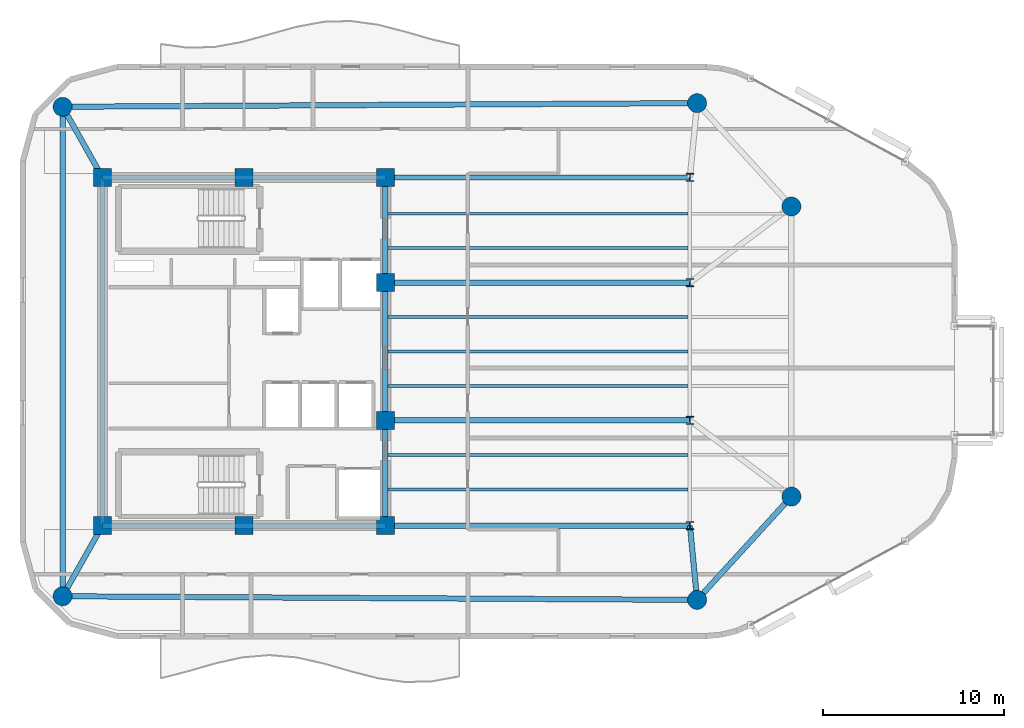
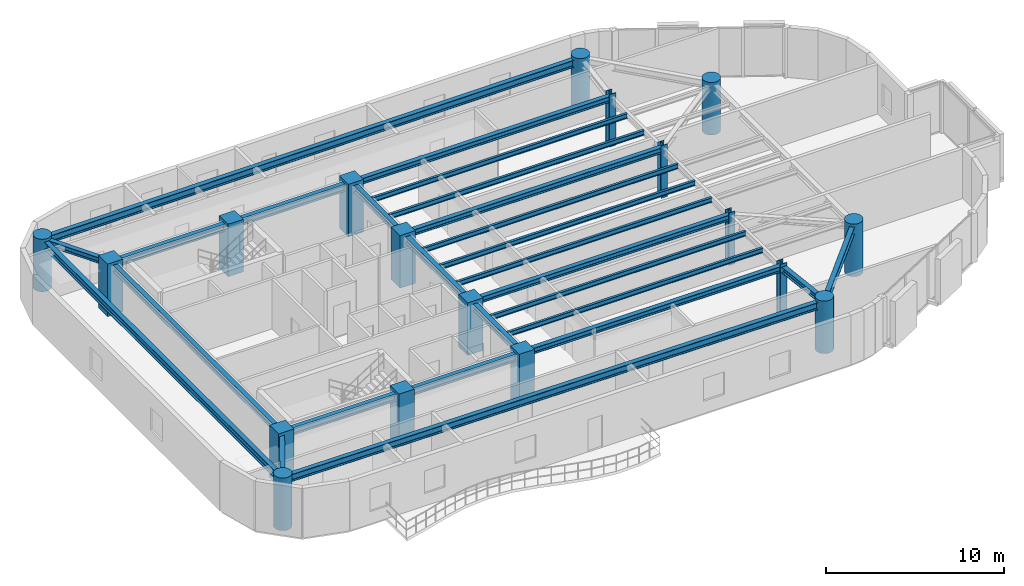
# One storey, part 1 of 14: 24 beams, 18 columns.
"""IFC4 building model written with IfcOpenShell, lengths in metres."""

from ifc_helpers import new_model, si_unit, direction, frame, origin, origin_2d, place, context, subcontext, project, spatial, rectangle, circle, i_section, extrude, material, material_profile, profile_set, type_object, element, save


model = new_model("IFC4")

# Units and contexts
model_context = context("Model", 3, precision=1e-05, world=origin(), true_north=direction((0.0, 1.0)))
body_context = subcontext(model_context, "Body", "Model", "MODEL_VIEW")
ifc_project = project(units=[si_unit("LENGTHUNIT", "METRE"), si_unit("AREAUNIT", "SQUARE_METRE"), si_unit("VOLUMEUNIT", "CUBIC_METRE"), si_unit("PLANEANGLEUNIT", "RADIAN"), si_unit("MASSUNIT", "GRAM", prefix="KILO")], contexts=[model_context])

# Site, building, storey
site_placement = place(None, origin())
site = spatial("IfcSite", under=ifc_project, at=site_placement, CompositionType="ELEMENT")
building_placement = place(site_placement, origin())
building = spatial("IfcBuilding", under=site, at=building_placement, Name="An Khanh Terracotta Commons", CompositionType="ELEMENT")
storey_placement = place(building_placement, frame((0.0, 0.0, 219.300048828125)))
storey = spatial("IfcBuildingStorey", under=building, at=storey_placement, Name="L57", CompositionType="ELEMENT", Elevation=219.300048828125)

# Columns
ifc_material_1 = material(Name="Concrete C60/75", Category="concrete")
ifc_material_profile_1 = material_profile(ifc_material_1, circle(Radius=0.52490234375, at=origin_2d()), Name="CFST1050")
ifc_profile_set_1 = profile_set([ifc_material_profile_1], Name="Concrete C60/75")
column_type_1 = type_object("IfcColumnType", Name="COL-CFST1050", PredefinedType="COLUMN", material=ifc_profile_set_1)
for number, where, z_axis, x_axis, name in (
    (1, (19.39990234375, 10.5, 0.0), (0.0, 0.0, 1.0), (1.0, 0.0, 0.0), "L57 Perimeter CFST Mega-Column MC-01"),
    (2, (54.39990234375, 10.300048828125, 0.0), (0.0, 0.0, 1.0), (1.0, 0.0, 0.0), "L57 Perimeter CFST Mega-Column MC-02"),
    (3, (59.60009765625, 16.0, 0.0), (0.0, 0.0, 1.0), (1.0, 0.0, 0.0), "L57 Perimeter CFST Mega-Column MC-03"),
    (4, (59.60009765625, 32.0, 0.0), (0.0, 0.0, 1.0), (1.0, 0.0, 0.0), "L57 Perimeter CFST Mega-Column MC-04"),
    (5, (54.39990234375, 37.699951171875, 0.0), (0.0, 0.0, 1.0), (1.0, 0.0, 0.0), "L57 Perimeter CFST Mega-Column MC-05"),
    (6, (19.39990234375, 37.5, 0.0), (0.0, 0.0, 1.0), (1.0, 0.0, 0.0), "L57 Perimeter CFST Mega-Column MC-06"),
):
    element("IfcColumn", number, at=place(storey_placement, frame(where, z_axis=z_axis, x_axis=x_axis)), inside=storey, type_object=column_type_1, Name=name, PredefinedType="COLUMN", context=body_context, shape_type="SweptSolid", body=[
        extrude(circle(Radius=0.52490234375, at=origin_2d()), origin(), (0.0, 0.0, 1.0), 3.599853515625),
    ])
ifc_material_2 = material(Name="Steel S460ML", Category="steel")
ifc_material_profile_2 = material_profile(ifc_material_2, i_section(OverallWidth=0.406005859375, OverallDepth=0.43994140625, WebThickness=0.02392578125, FlangeThickness=0.0390625, FilletRadius=0.014892578125, at=origin_2d()), Name="HD400x314")
ifc_profile_set_2 = profile_set([ifc_material_profile_2], Name="Steel S460ML")
column_type_2 = type_object("IfcColumnType", Name="COL-HD400x314", PredefinedType="COLUMN", material=ifc_profile_set_2)
for number, where, z_axis, x_axis, name in (
    (7, (54.0, 14.39990234375, 0.0), (0.0, 0.0, 1.0), (1.0, 0.0, 0.0), "L57 Interior Frame Column TC-01"),
    (8, (54.0, 20.199951171875, 0.0), (0.0, 0.0, 1.0), (1.0, 0.0, 0.0), "L57 Interior Frame Column TC-02"),
    (9, (54.0, 27.800048828125, 0.0), (0.0, 0.0, 1.0), (1.0, 0.0, 0.0), "L57 Interior Frame Column TC-03"),
    (10, (54.0, 33.60009765625, 0.0), (0.0, 0.0, 1.0), (1.0, 0.0, 0.0), "L57 Interior Frame Column TC-04"),
):
    element("IfcColumn", number, at=place(storey_placement, frame(where, z_axis=z_axis, x_axis=x_axis)), inside=storey, type_object=column_type_2, Name=name, PredefinedType="COLUMN", context=body_context, shape_type="SweptSolid", body=[
        extrude(i_section(OverallWidth=0.406005859375, OverallDepth=0.43994140625, WebThickness=0.02392578125, FlangeThickness=0.0390625, FilletRadius=0.014892578125, at=origin_2d()), origin(), (0.0, 0.0, 1.0), 3.599853515625),
    ])
ifc_material_profile_3 = material_profile(ifc_material_1, rectangle(XDim=1.0, YDim=1.0, at=origin_2d()), Name="RC1000x1000")
ifc_profile_set_3 = profile_set([ifc_material_profile_3], Name="Concrete C60/75")
column_type_3 = type_object("IfcColumnType", Name="COL-RC1000x1000", PredefinedType="COLUMN", material=ifc_profile_set_3)
for number, where, z_axis, x_axis, name in (
    (11, (21.60009765625, 14.39990234375, 0.0), (0.0, 0.0, 1.0), (1.0, 0.0, 0.0), "L57 Core Boundary Column CC-01"),
    (12, (29.39990234375, 14.39990234375, 0.0), (0.0, 0.0, 1.0), (1.0, 0.0, 0.0), "L57 Core Boundary Column CC-02"),
    (13, (37.199951171875, 14.39990234375, 0.0), (0.0, 0.0, 1.0), (1.0, 0.0, 0.0), "L57 Core Boundary Column CC-03"),
    (14, (37.199951171875, 20.199951171875, 0.0), (0.0, 0.0, 1.0), (1.0, 0.0, 0.0), "L57 Core Boundary Column CC-04"),
    (15, (37.199951171875, 27.800048828125, 0.0), (0.0, 0.0, 1.0), (1.0, 0.0, 0.0), "L57 Core Boundary Column CC-05"),
    (16, (37.199951171875, 33.60009765625, 0.0), (0.0, 0.0, 1.0), (1.0, 0.0, 0.0), "L57 Core Boundary Column CC-06"),
    (17, (29.39990234375, 33.60009765625, 0.0), (0.0, 0.0, 1.0), (1.0, 0.0, 0.0), "L57 Core Boundary Column CC-07"),
    (18, (21.60009765625, 33.60009765625, 0.0), (0.0, 0.0, 1.0), (1.0, 0.0, 0.0), "L57 Core Boundary Column CC-08"),
):
    element("IfcColumn", number, at=place(storey_placement, frame(where, z_axis=z_axis, x_axis=x_axis)), inside=storey, type_object=column_type_3, Name=name, PredefinedType="COLUMN", context=body_context, shape_type="SweptSolid", body=[
        extrude(rectangle(XDim=1.0, YDim=1.0, at=origin_2d()), origin(), (0.0, 0.0, 1.0), 3.599853515625),
    ])

# Beams
ifc_material_3 = material(Name="Steel S355J2", Category="steel")
ifc_material_profile_4 = material_profile(ifc_material_3, i_section(OverallWidth=0.300048828125, OverallDepth=0.39990234375, WebThickness=0.013427734375, FlangeThickness=0.02392578125, FilletRadius=0.027099609375, at=origin_2d()), Name="HEB400")
ifc_profile_set_4 = profile_set([ifc_material_profile_4], Name="Steel S355J2")
beam_type_1 = type_object("IfcBeamType", Name="BM-HEB400", PredefinedType="BEAM", material=ifc_profile_set_4)
for number, where, z_axis, x_axis, name in (
    (19, (37.199951171875, 14.39990234375, 3.199951171875), (1.0, 0.0, 0.0), (0.0, 1.0, 0.0), "L57 East Primary Floor Girder 1"),
    (20, (37.199951171875, 20.199951171875, 3.199951171875), (1.0, 0.0, 0.0), (0.0, 1.0, 0.0), "L57 East Primary Floor Girder 2"),
    (21, (37.199951171875, 27.800048828125, 3.199951171875), (1.0, 0.0, 0.0), (0.0, 1.0, 0.0), "L57 East Primary Floor Girder 3"),
    (22, (37.199951171875, 33.60009765625, 3.199951171875), (1.0, 0.0, 0.0), (0.0, 1.0, 0.0), "L57 East Primary Floor Girder 4"),
):
    element("IfcBeam", number, at=place(storey_placement, frame(where, z_axis=z_axis, x_axis=x_axis)), inside=storey, type_object=beam_type_1, Name=name, PredefinedType="BEAM", context=body_context, shape_type="SweptSolid", body=[
        extrude(i_section(OverallWidth=0.300048828125, OverallDepth=0.39990234375, WebThickness=0.013427734375, FlangeThickness=0.02392578125, FilletRadius=0.027099609375, at=origin_2d()), origin(), (0.0, 0.0, 1.0), 16.800048828125),
    ])
beam_1_placement = place(storey_placement, frame((19.39990234375, 10.5, 3.199951171875), z_axis=(0.491363608436, 0.870954536302, 0.0), x_axis=(-0.870954536302, 0.491363608436, 0.0)))
element("IfcBeam", 23, at=beam_1_placement, inside=storey, type_object=beam_type_1, Name="L57 Mega-Column Tie Girder 1", PredefinedType="BEAM", context=body_context, shape_type="SweptSolid", body=[
    extrude(i_section(OverallWidth=0.300048828125, OverallDepth=0.39990234375, WebThickness=0.013427734375, FlangeThickness=0.02392578125, FilletRadius=0.027099609375, at=origin_2d()), origin(), (0.0, 0.0, 1.0), 4.477783203125),
])
beam_2_placement = place(storey_placement, frame((54.39990234375, 10.300048828125, 3.199951171875), z_axis=(-0.097079917443, 0.995276589511, 0.0), x_axis=(-0.995276589511, -0.097079917443, 0.0)))
element("IfcBeam", 24, at=beam_2_placement, inside=storey, type_object=beam_type_1, Name="L57 Mega-Column Tie Girder 2", PredefinedType="BEAM", context=body_context, shape_type="SweptSolid", body=[
    extrude(i_section(OverallWidth=0.300048828125, OverallDepth=0.39990234375, WebThickness=0.013427734375, FlangeThickness=0.02392578125, FilletRadius=0.027099609375, at=origin_2d()), origin(), (0.0, 0.0, 1.0), 4.119384765625),
])
beam_3_placement = place(storey_placement, frame((19.39990234375, 37.5, 3.199951171875), z_axis=(0.491363608436, -0.870954536302, 0.0), x_axis=(0.870954536302, 0.491363608436, 0.0)))
element("IfcBeam", 25, at=beam_3_placement, inside=storey, type_object=beam_type_1, Name="L57 Mega-Column Tie Girder 6", PredefinedType="BEAM", context=body_context, shape_type="SweptSolid", body=[
    extrude(i_section(OverallWidth=0.300048828125, OverallDepth=0.39990234375, WebThickness=0.013427734375, FlangeThickness=0.02392578125, FilletRadius=0.027099609375, at=origin_2d()), origin(), (0.0, 0.0, 1.0), 4.477783203125),
])
ifc_material_profile_5 = material_profile(ifc_material_3, i_section(OverallWidth=0.300048828125, OverallDepth=0.449951171875, WebThickness=0.013916015625, FlangeThickness=0.02587890625, FilletRadius=0.027099609375, at=origin_2d()), Name="HEB450")
ifc_profile_set_5 = profile_set([ifc_material_profile_5], Name="Steel S355J2")
beam_type_2 = type_object("IfcBeamType", Name="BM-HEB450", PredefinedType="BEAM", material=ifc_profile_set_5)
beam_4_placement = place(storey_placement, frame((37.199951171875, 14.39990234375, 3.175048828125), z_axis=(0.0, 1.0, 0.0), x_axis=(-1.0, 0.0, 0.0)))
element("IfcBeam", 26, at=beam_4_placement, inside=storey, type_object=beam_type_2, Name="L57 Core East Coupling Girder 1", PredefinedType="BEAM", context=body_context, shape_type="SweptSolid", body=[
    extrude(i_section(OverallWidth=0.300048828125, OverallDepth=0.449951171875, WebThickness=0.013916015625, FlangeThickness=0.02587890625, FilletRadius=0.027099609375, at=origin_2d()), origin(), (0.0, 0.0, 1.0), 5.800048828125),
])
beam_5_placement = place(storey_placement, frame((37.199951171875, 20.199951171875, 3.175048828125), z_axis=(0.0, 1.0, 0.0), x_axis=(-1.0, 0.0, 0.0)))
element("IfcBeam", 27, at=beam_5_placement, inside=storey, type_object=beam_type_2, Name="L57 Core East Coupling Girder 2", PredefinedType="BEAM", context=body_context, shape_type="SweptSolid", body=[
    extrude(i_section(OverallWidth=0.300048828125, OverallDepth=0.449951171875, WebThickness=0.013916015625, FlangeThickness=0.02587890625, FilletRadius=0.027099609375, at=origin_2d()), origin(), (0.0, 0.0, 1.0), 7.60009765625),
])
beam_6_placement = place(storey_placement, frame((37.199951171875, 27.800048828125, 3.175048828125), z_axis=(0.0, 1.0, 0.0), x_axis=(-1.0, 0.0, 0.0)))
element("IfcBeam", 28, at=beam_6_placement, inside=storey, type_object=beam_type_2, Name="L57 Core East Coupling Girder 3", PredefinedType="BEAM", context=body_context, shape_type="SweptSolid", body=[
    extrude(i_section(OverallWidth=0.300048828125, OverallDepth=0.449951171875, WebThickness=0.013916015625, FlangeThickness=0.02587890625, FilletRadius=0.027099609375, at=origin_2d()), origin(), (0.0, 0.0, 1.0), 5.800048828125),
])
beam_7_placement = place(storey_placement, frame((21.60009765625, 14.39990234375, 3.175048828125), z_axis=(0.0, 1.0, 0.0), x_axis=(-1.0, 0.0, 0.0)))
element("IfcBeam", 29, at=beam_7_placement, inside=storey, type_object=beam_type_2, Name="L57 Core West Coupling Girder", PredefinedType="BEAM", context=body_context, shape_type="SweptSolid", body=[
    extrude(i_section(OverallWidth=0.300048828125, OverallDepth=0.449951171875, WebThickness=0.013916015625, FlangeThickness=0.02587890625, FilletRadius=0.027099609375, at=origin_2d()), origin(), (0.0, 0.0, 1.0), 19.2001953125),
])
ifc_material_profile_6 = material_profile(ifc_material_3, i_section(OverallWidth=0.300048828125, OverallDepth=0.5, WebThickness=0.014404296875, FlangeThickness=0.028076171875, FilletRadius=0.027099609375, at=origin_2d()), Name="HEB500")
ifc_profile_set_6 = profile_set([ifc_material_profile_6], Name="Steel S355J2")
beam_type_3 = type_object("IfcBeamType", Name="BM-HEB500", PredefinedType="BEAM", material=ifc_profile_set_6)
for number, where, z_axis, x_axis, name in (
    (30, (21.60009765625, 14.39990234375, 3.14990234375), (1.0, 0.0, 0.0), (0.0, 1.0, 0.0), "L57 Core South Coupling Girder"),
    (31, (21.60009765625, 33.60009765625, 3.14990234375), (1.0, 0.0, 0.0), (0.0, 1.0, 0.0), "L57 Core North Coupling Girder"),
):
    element("IfcBeam", number, at=place(storey_placement, frame(where, z_axis=z_axis, x_axis=x_axis)), inside=storey, type_object=beam_type_3, Name=name, PredefinedType="BEAM", context=body_context, shape_type="SweptSolid", body=[
        extrude(i_section(OverallWidth=0.300048828125, OverallDepth=0.5, WebThickness=0.014404296875, FlangeThickness=0.028076171875, FilletRadius=0.027099609375, at=origin_2d()), origin(), (0.0, 0.0, 1.0), 15.599853515625),
    ])
beam_8_placement = place(storey_placement, frame((19.39990234375, 10.5, 3.14990234375), z_axis=(0.99998368184, -0.005712797401, 0.0), x_axis=(0.005712797401, 0.99998368184, 0.0)))
element("IfcBeam", 32, at=beam_8_placement, inside=storey, type_object=beam_type_3, Name="L57 Perimeter Ring Spandrel 1", PredefinedType="BEAM", context=body_context, shape_type="SweptSolid", body=[
    extrude(i_section(OverallWidth=0.300048828125, OverallDepth=0.5, WebThickness=0.014404296875, FlangeThickness=0.028076171875, FilletRadius=0.027099609375, at=origin_2d()), origin(), (0.0, 0.0, 1.0), 35.00048828125),
])
beam_9_placement = place(storey_placement, frame((54.39990234375, 10.300048828125, 3.14990234375), z_axis=(0.673978953902, 0.738750546326, 0.0), x_axis=(-0.738750546326, 0.673978953902, 0.0)))
element("IfcBeam", 33, at=beam_9_placement, inside=storey, type_object=beam_type_3, Name="L57 Perimeter Ring Spandrel 2", PredefinedType="BEAM", context=body_context, shape_type="SweptSolid", body=[
    extrude(i_section(OverallWidth=0.300048828125, OverallDepth=0.5, WebThickness=0.014404296875, FlangeThickness=0.028076171875, FilletRadius=0.027099609375, at=origin_2d()), origin(), (0.0, 0.0, 1.0), 7.715576171875),
])
beam_10_placement = place(storey_placement, frame((54.39990234375, 37.699951171875, 3.14990234375), z_axis=(-0.99998368184, -0.005712797401, 0.0), x_axis=(0.005712797401, -0.99998368184, 0.0)))
element("IfcBeam", 34, at=beam_10_placement, inside=storey, type_object=beam_type_3, Name="L57 Perimeter Ring Spandrel 5", PredefinedType="BEAM", context=body_context, shape_type="SweptSolid", body=[
    extrude(i_section(OverallWidth=0.300048828125, OverallDepth=0.5, WebThickness=0.014404296875, FlangeThickness=0.028076171875, FilletRadius=0.027099609375, at=origin_2d()), origin(), (0.0, 0.0, 1.0), 35.00048828125),
])
beam_11_placement = place(storey_placement, frame((19.39990234375, 37.5, 3.14990234375), z_axis=(0.0, -1.0, 0.0), x_axis=(1.0, 0.0, 0.0)))
element("IfcBeam", 35, at=beam_11_placement, inside=storey, type_object=beam_type_3, Name="L57 Perimeter Ring Spandrel 6", PredefinedType="BEAM", context=body_context, shape_type="SweptSolid", body=[
    extrude(i_section(OverallWidth=0.300048828125, OverallDepth=0.5, WebThickness=0.014404296875, FlangeThickness=0.028076171875, FilletRadius=0.027099609375, at=origin_2d()), origin(), (0.0, 0.0, 1.0), 27.0),
])
ifc_material_profile_7 = material_profile(ifc_material_3, i_section(OverallWidth=0.159912109375, OverallDepth=0.330078125, WebThickness=0.007568359375, FlangeThickness=0.011474609375, FilletRadius=0.01806640625, at=origin_2d()), Name="IPE330")
ifc_profile_set_7 = profile_set([ifc_material_profile_7], Name="Steel S355J2")
beam_type_4 = type_object("IfcBeamType", Name="BM-IPE330", PredefinedType="JOIST", material=ifc_profile_set_7)
for number, where, z_axis, x_axis, name in (
    (36, (37.199951171875, 16.39990234375, 3.23486328125), (1.0, 0.0, 0.0), (0.0, 1.0, 0.0), "L57 Inboard Composite Joist 1"),
    (37, (37.199951171875, 18.300048828125, 3.23486328125), (1.0, 0.0, 0.0), (0.0, 1.0, 0.0), "L57 Inboard Composite Joist 2"),
    (38, (37.199951171875, 22.10009765625, 3.23486328125), (1.0, 0.0, 0.0), (0.0, 1.0, 0.0), "L57 Inboard Composite Joist 3"),
    (39, (37.199951171875, 24.0, 3.23486328125), (1.0, 0.0, 0.0), (0.0, 1.0, 0.0), "L57 Inboard Composite Joist 4"),
    (40, (37.199951171875, 25.89990234375, 3.23486328125), (1.0, 0.0, 0.0), (0.0, 1.0, 0.0), "L57 Inboard Composite Joist 5"),
    (41, (37.199951171875, 29.699951171875, 3.23486328125), (1.0, 0.0, 0.0), (0.0, 1.0, 0.0), "L57 Inboard Composite Joist 6"),
    (42, (37.199951171875, 31.60009765625, 3.23486328125), (1.0, 0.0, 0.0), (0.0, 1.0, 0.0), "L57 Inboard Composite Joist 7"),
):
    element("IfcBeam", number, at=place(storey_placement, frame(where, z_axis=z_axis, x_axis=x_axis)), inside=storey, type_object=beam_type_4, Name=name, PredefinedType="JOIST", context=body_context, shape_type="SweptSolid", body=[
        extrude(i_section(OverallWidth=0.159912109375, OverallDepth=0.330078125, WebThickness=0.007568359375, FlangeThickness=0.011474609375, FilletRadius=0.01806640625, at=origin_2d()), origin(), (0.0, 0.0, 1.0), 16.705078125),
    ])

save(model, "model.ifc")
